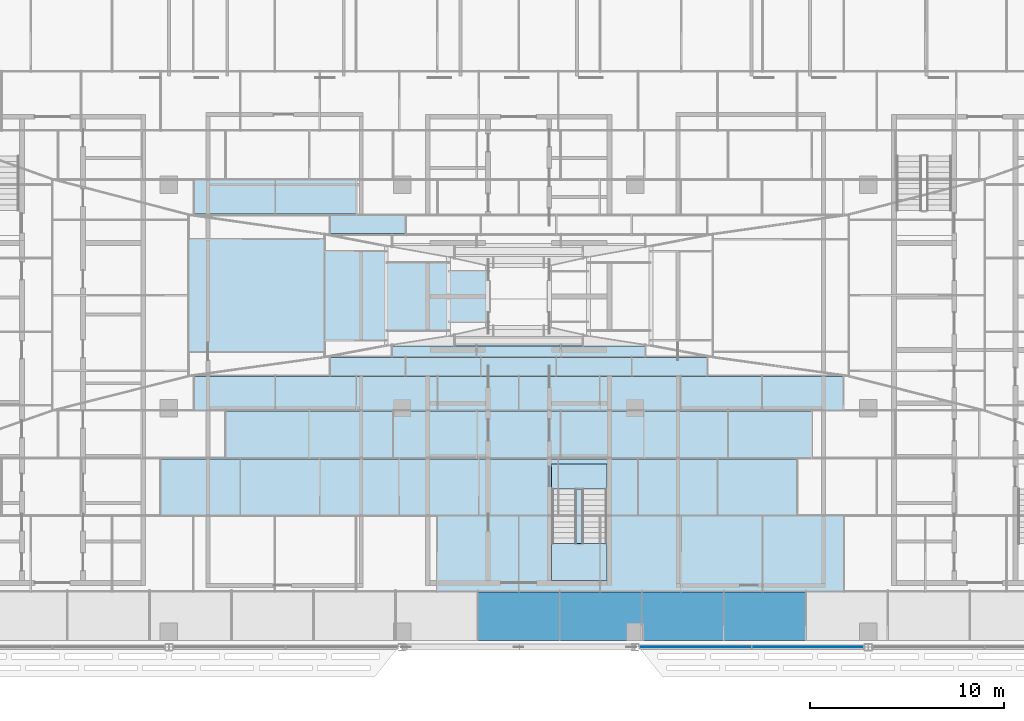
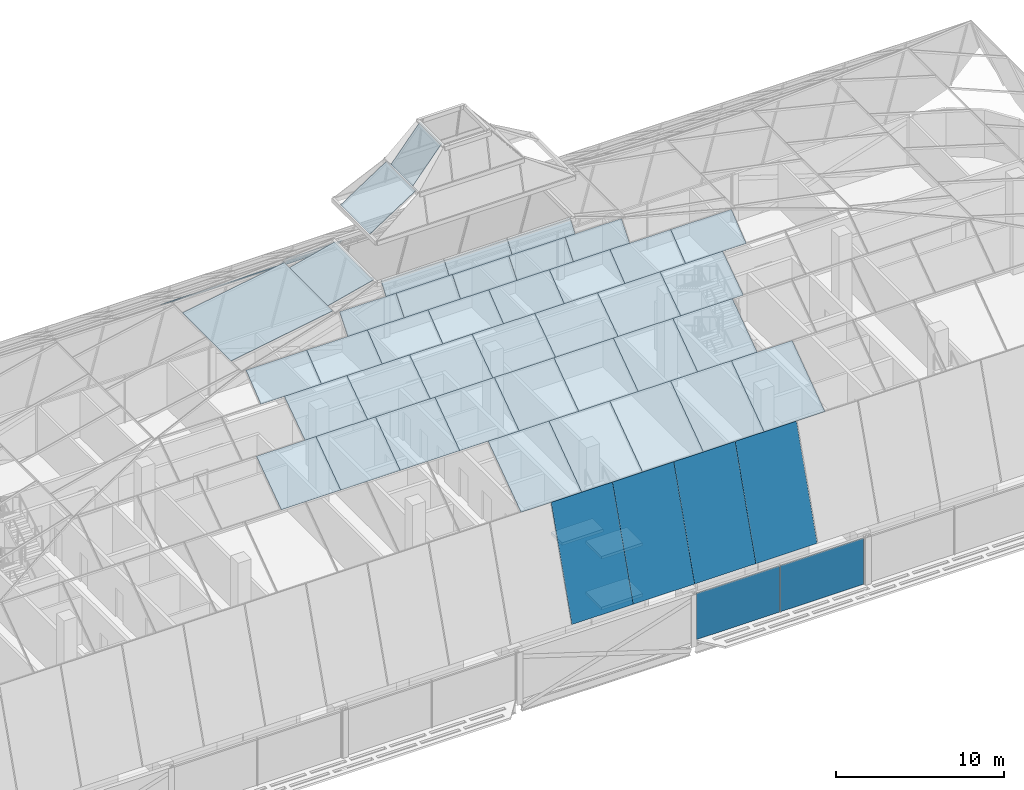
# One storey, part 20 of 39: 49 plates, 3 slabs, 15 elements without a shape of their own.
"""IFC4 building model written with IfcOpenShell, lengths in metres."""

from ifc_helpers import new_model, si_unit, direction, frame, origin, origin_2d, place, context, subcontext, project, spatial, polyline, rectangle, outline, extrude, material, layer, layer_set, type_object, element, aggregate, save


model = new_model("IFC4")

# Units and contexts
model_context = context("Model", 3, precision=1e-05, world=origin(), true_north=direction((0.0, 1.0)))
body_context = subcontext(model_context, "Body", "Model", "MODEL_VIEW")
ifc_project = project(units=[si_unit("LENGTHUNIT", "METRE"), si_unit("AREAUNIT", "SQUARE_METRE"), si_unit("VOLUMEUNIT", "CUBIC_METRE"), si_unit("PLANEANGLEUNIT", "RADIAN"), si_unit("MASSUNIT", "GRAM", prefix="KILO")], contexts=[model_context])

# Site, building, storey
site_placement = place(None, origin())
site = spatial("IfcSite", under=ifc_project, at=site_placement, CompositionType="ELEMENT")
building_placement = place(site_placement, origin())
building = spatial("IfcBuilding", under=site, at=building_placement, Name="Mahtab Terrace Research Tower", CompositionType="ELEMENT")
storey_placement = place(building_placement, frame((0.0, 0.0, 282.300048828125)))
storey = spatial("IfcBuildingStorey", under=building, at=storey_placement, Name="L69", CompositionType="ELEMENT", Elevation=282.300048828125)

# Curtain wall, plates
ifc_material_1 = material(Name="Crown faceted glass roof")
curtain_wall_type_1 = type_object("IfcCurtainWallType", Name="Crown faceted glass roof", PredefinedType="NOTDEFINED", material=ifc_material_1)
curtain_wall_1_placement = place(storey_placement, origin())
curtain_wall_1 = element("IfcCurtainWall", 1, at=curtain_wall_1_placement, inside=storey, type_object=curtain_wall_type_1, Name="CROWN.S0", PredefinedType="NOTDEFINED")
ifc_material_2 = material(Name="Dark glazing", Category="glass")
ifc_layer_1 = layer(ifc_material_2, 0.030029296875)
ifc_layer_set_1 = layer_set([ifc_layer_1], Name="Crown faceted glass roof glazing panel")
plate_type_1 = type_object("IfcPlateType", Name="Crown faceted glass roof glazing panel", PredefinedType="CURTAIN_PANEL", material=ifc_layer_set_1)
plate_1_placement = place(storey_placement, frame((2.11181640625, -11.95703125, 3.800048828125), z_axis=(0.0, -0.948206714392, 0.317653941865), x_axis=(0.0, 0.317653941865, 0.948206714392)))
plate_1 = element("IfcPlate", 2, at=plate_1_placement, type_object=plate_type_1, Name="CWC-S1 panel 12", PredefinedType="CURTAIN_PANEL", context=body_context, shape_type="SweptSolid", body=[
    extrude(outline(polyline([(0.0, 0.0), (7.804102450906159, 0.0), (7.804102450906159, 4.2236328125), (0.0, 4.2236328125), (0.0, 0.0)])), origin(), (0.0, 0.0, -1.0), 0.030029296875),
])
plate_2_placement = place(storey_placement, frame((6.33544921875, -11.95703125, 3.800048828125), z_axis=(0.0, -0.948206714392, 0.317653941865), x_axis=(0.0, 0.317653941865, 0.948206714392)))
plate_2 = element("IfcPlate", 3, at=plate_2_placement, type_object=plate_type_1, Name="CWC-S1 panel 13", PredefinedType="CURTAIN_PANEL", context=body_context, shape_type="SweptSolid", body=[
    extrude(outline(polyline([(0.0, 0.0), (7.804102450906159, 0.0), (7.804102450906159, 4.2236328125), (0.0, 4.2236328125), (0.0, 0.0)])), origin(), (0.0, 0.0, -1.0), 0.030029296875),
])
plate_3_placement = place(storey_placement, frame((10.55908203125, -11.95703125, 3.800048828125), z_axis=(0.0, -0.948206714392, 0.317653941865), x_axis=(0.0, 0.317653941865, 0.948206714392)))
plate_3 = element("IfcPlate", 4, at=plate_3_placement, type_object=plate_type_1, Name="CWC-S1 panel 14", PredefinedType="CURTAIN_PANEL", context=body_context, shape_type="SweptSolid", body=[
    extrude(outline(polyline([(0.0, 0.0), (7.804102450906159, 0.0), (7.804102450906159, 4.2236328125), (0.0, 4.2236328125), (0.0, 0.0)])), origin(), (0.0, 0.0, -1.0), 0.030029296875),
])
plate_4_placement = place(storey_placement, frame((14.78271484375, -11.95703125, 3.800048828125), z_axis=(0.0, -0.948206714392, 0.317653941865), x_axis=(0.0, 0.317653941865, 0.948206714392)))
plate_4 = element("IfcPlate", 5, at=plate_4_placement, type_object=plate_type_1, Name="CWC-S1 panel 15", PredefinedType="CURTAIN_PANEL", context=body_context, shape_type="SweptSolid", body=[
    extrude(outline(polyline([(0.0, 0.0), (7.804102450906159, 0.0), (7.804102450906159, 4.2236328125), (0.0, 4.2236328125), (0.0, 0.0)])), origin(), (0.0, 0.0, -1.0), 0.030029296875),
])
aggregate(curtain_wall_1, [plate_1, plate_2, plate_3, plate_4])

curtain_wall_2_placement = place(storey_placement, origin())
curtain_wall_2 = element("IfcCurtainWall", 6, at=curtain_wall_2_placement, inside=storey, type_object=curtain_wall_type_1, Name="CROWN.S1", PredefinedType="NOTDEFINED")
plate_5_placement = place(storey_placement, frame((0.0, -9.47802734375, 11.199951171875), z_axis=(0.0, -0.581900322077, 0.813260115318), x_axis=(0.0, 0.813260115318, 0.581900322077)))
plate_5 = element("IfcPlate", 7, at=plate_5_placement, type_object=plate_type_1, Name="CWC-S2 panel 10", PredefinedType="CURTAIN_PANEL", context=body_context, shape_type="SweptSolid", body=[
    extrude(outline(polyline([(0.0, 0.0), (4.811904585529726, 0.0), (4.811904585529726, 4.186279296875), (0.0, 4.186279296875), (0.0, 0.0)])), origin(), (0.0, 0.0, -1.0), 0.030029296875),
])
plate_6_placement = place(storey_placement, frame((4.186279296875, -9.47802734375, 11.199951171875), z_axis=(0.0, -0.581900322077, 0.813260115318), x_axis=(0.0, 0.813260115318, 0.581900322077)))
plate_6 = element("IfcPlate", 8, at=plate_6_placement, type_object=plate_type_1, Name="CWC-S2 panel 11", PredefinedType="CURTAIN_PANEL", context=body_context, shape_type="SweptSolid", body=[
    extrude(outline(polyline([(0.0, 0.0), (4.811904585529726, 0.0), (4.811904585529726, 4.186279296875), (0.0, 4.186279296875), (0.0, 0.0)])), origin(), (0.0, 0.0, -1.0), 0.030029296875),
])
plate_7_placement = place(storey_placement, frame((8.372802734375, -9.47802734375, 11.199951171875), z_axis=(0.0, -0.581900322077, 0.813260115318), x_axis=(0.0, 0.813260115318, 0.581900322077)))
plate_7 = element("IfcPlate", 9, at=plate_7_placement, type_object=plate_type_1, Name="CWC-S2 panel 12", PredefinedType="CURTAIN_PANEL", context=body_context, shape_type="SweptSolid", body=[
    extrude(outline(polyline([(0.0, 0.0), (4.811904585529726, 0.0), (4.811904585529726, 4.1865234375), (0.0, 4.1865234375), (0.0, 0.0)])), origin(), (0.0, 0.0, -1.0), 0.030029296875),
])
plate_8_placement = place(storey_placement, frame((12.55908203125, -9.47802734375, 11.199951171875), z_axis=(0.0, -0.581900322077, 0.813260115318), x_axis=(0.0, 0.813260115318, 0.581900322077)))
plate_8 = element("IfcPlate", 10, at=plate_8_placement, type_object=plate_type_1, Name="CWC-S2 panel 13", PredefinedType="CURTAIN_PANEL", context=body_context, shape_type="SweptSolid", body=[
    extrude(outline(polyline([(0.0, 0.0), (4.811904585529726, 0.0), (4.811904585529726, 4.186279296875), (0.0, 4.186279296875), (0.0, 0.0)])), origin(), (0.0, 0.0, -1.0), 0.030029296875),
])
plate_9_placement = place(storey_placement, frame((16.745361328125, -9.47802734375, 11.199951171875), z_axis=(0.0, -0.581900322077, 0.813260115318), x_axis=(0.0, 0.813260115318, 0.581900322077)))
plate_9 = element("IfcPlate", 11, at=plate_9_placement, type_object=plate_type_1, Name="CWC-S2 panel 14", PredefinedType="CURTAIN_PANEL", context=body_context, shape_type="SweptSolid", body=[
    extrude(outline(polyline([(0.0, 0.0), (4.811904585529726, 0.0), (4.811904585529726, 4.186279296875), (0.0, 4.186279296875), (0.0, 0.0)])), origin(), (0.0, 0.0, -1.0), 0.030029296875),
])
aggregate(curtain_wall_2, [plate_5, plate_6, plate_7, plate_8, plate_9])

curtain_wall_3_placement = place(storey_placement, origin())
curtain_wall_3 = element("IfcCurtainWall", 12, at=curtain_wall_3_placement, inside=storey, type_object=curtain_wall_type_1, Name="CROWN.S2", PredefinedType="NOTDEFINED")
plate_10_placement = place(storey_placement, frame((-14.336181640625, -5.564697265625, 14.0), z_axis=(0.0, -0.578988154945, 0.81533595311), x_axis=(0.0, 0.81533595311, 0.578988154945)))
plate_10 = element("IfcPlate", 13, at=plate_10_placement, type_object=plate_type_1, Name="CWC-S3 panel 5", PredefinedType="CURTAIN_PANEL", context=body_context, shape_type="SweptSolid", body=[
    extrude(outline(polyline([(0.0, 0.0), (3.626764205260556, 0.0), (3.626764205260556, 4.095947265625), (0.0, 4.095947265625), (0.0, 0.0)])), origin(), (0.0, 0.0, -1.0), 0.030029296875),
])
plate_11_placement = place(storey_placement, frame((-10.239990234375, -5.564697265625, 14.0), z_axis=(0.0, -0.578988154945, 0.81533595311), x_axis=(0.0, 0.81533595311, 0.578988154945)))
plate_11 = element("IfcPlate", 14, at=plate_11_placement, type_object=plate_type_1, Name="CWC-S3 panel 6", PredefinedType="CURTAIN_PANEL", context=body_context, shape_type="SweptSolid", body=[
    extrude(outline(polyline([(0.0, 0.0), (3.6267642052605558, 0.0), (3.6267642052605558, 4.09619140625), (0.0, 4.09619140625), (0.0, 0.0)])), origin(), (0.0, 0.0, -1.0), 0.030029296875),
])
plate_12_placement = place(storey_placement, frame((-6.14404296875, -5.564697265625, 14.0), z_axis=(0.0, -0.578988154945, 0.81533595311), x_axis=(0.0, 0.81533595311, 0.578988154945)))
plate_12 = element("IfcPlate", 15, at=plate_12_placement, type_object=plate_type_1, Name="CWC-S3 panel 7", PredefinedType="CURTAIN_PANEL", context=body_context, shape_type="SweptSolid", body=[
    extrude(outline(polyline([(0.0, 0.0), (3.626764205260556, 0.0), (3.626764205260556, 4.095947265625), (0.0, 4.095947265625), (0.0, 0.0)])), origin(), (0.0, 0.0, -1.0), 0.030029296875),
])
plate_13_placement = place(storey_placement, frame((-2.048095703125, -5.564697265625, 14.0), z_axis=(0.0, -0.578988154945, 0.81533595311), x_axis=(0.0, 0.81533595311, 0.578988154945)))
plate_13 = element("IfcPlate", 16, at=plate_13_placement, type_object=plate_type_1, Name="CWC-S3 panel 8", PredefinedType="CURTAIN_PANEL", context=body_context, shape_type="SweptSolid", body=[
    extrude(outline(polyline([(0.0, 0.0), (3.626764205260556, 0.0), (3.626764205260556, 4.095947265625), (0.0, 4.095947265625), (0.0, 0.0)])), origin(), (0.0, 0.0, -1.0), 0.030029296875),
])
plate_14_placement = place(storey_placement, frame((2.048095703125, -5.564697265625, 14.0), z_axis=(0.0, -0.578988154945, 0.81533595311), x_axis=(0.0, 0.81533595311, 0.578988154945)))
plate_14 = element("IfcPlate", 17, at=plate_14_placement, type_object=plate_type_1, Name="CWC-S3 panel 9", PredefinedType="CURTAIN_PANEL", context=body_context, shape_type="SweptSolid", body=[
    extrude(outline(polyline([(0.0, 0.0), (3.6267642052605558, 0.0), (3.6267642052605558, 4.09619140625), (0.0, 4.09619140625), (0.0, 0.0)])), origin(), (0.0, 0.0, -1.0), 0.030029296875),
])
plate_15_placement = place(storey_placement, frame((6.14404296875, -5.564697265625, 14.0), z_axis=(0.0, -0.578988154945, 0.81533595311), x_axis=(0.0, 0.81533595311, 0.578988154945)))
plate_15 = element("IfcPlate", 18, at=plate_15_placement, type_object=plate_type_1, Name="CWC-S3 panel 10", PredefinedType="CURTAIN_PANEL", context=body_context, shape_type="SweptSolid", body=[
    extrude(outline(polyline([(0.0, 0.0), (3.626764205260556, 0.0), (3.626764205260556, 4.095947265625), (0.0, 4.095947265625), (0.0, 0.0)])), origin(), (0.0, 0.0, -1.0), 0.030029296875),
])
plate_16_placement = place(storey_placement, frame((10.239990234375, -5.564697265625, 14.0), z_axis=(0.0, -0.578988154945, 0.81533595311), x_axis=(0.0, 0.81533595311, 0.578988154945)))
plate_16 = element("IfcPlate", 19, at=plate_16_placement, type_object=plate_type_1, Name="CWC-S3 panel 11", PredefinedType="CURTAIN_PANEL", context=body_context, shape_type="SweptSolid", body=[
    extrude(outline(polyline([(0.0, 0.0), (3.626764205260556, 0.0), (3.626764205260556, 4.095947265625), (0.0, 4.095947265625), (0.0, 0.0)])), origin(), (0.0, 0.0, -1.0), 0.030029296875),
])
plate_17_placement = place(storey_placement, frame((14.336181640625, -5.564697265625, 14.0), z_axis=(0.0, -0.578988154945, 0.81533595311), x_axis=(0.0, 0.81533595311, 0.578988154945)))
plate_17 = element("IfcPlate", 20, at=plate_17_placement, type_object=plate_type_1, Name="CWC-S3 panel 12", PredefinedType="CURTAIN_PANEL", context=body_context, shape_type="SweptSolid", body=[
    extrude(outline(polyline([(0.0, 0.0), (3.6267642052605558, 0.0), (3.6267642052605558, 4.09619140625), (0.0, 4.09619140625), (0.0, 0.0)])), origin(), (0.0, 0.0, -1.0), 0.030029296875),
])
aggregate(curtain_wall_3, [plate_10, plate_11, plate_12, plate_13, plate_14, plate_15, plate_16, plate_17])

curtain_wall_4_placement = place(storey_placement, origin())
curtain_wall_4 = element("IfcCurtainWall", 21, at=curtain_wall_4_placement, inside=storey, type_object=curtain_wall_type_1, Name="CROWN.S3", PredefinedType="NOTDEFINED")
plate_18_placement = place(storey_placement, frame((-10.77978515625, -2.607666015625, 16.099853515625), z_axis=(0.0, -0.568373610544, 0.822770587003), x_axis=(0.0, 0.822770587003, 0.568373610544)))
plate_18 = element("IfcPlate", 22, at=plate_18_placement, type_object=plate_type_1, Name="CWC-S4 panel 4", PredefinedType="CURTAIN_PANEL", context=body_context, shape_type="SweptSolid", body=[
    extrude(outline(polyline([(0.0, 0.0), (2.991334011573522, 0.0), (2.991334011573522, 4.312011718750001), (0.0, 4.312011718750001), (0.0, 0.0)])), origin(), (0.0, 0.0, -1.0), 0.030029296875),
])
plate_19_placement = place(storey_placement, frame((-6.468017578125, -2.607666015625, 16.099853515625), z_axis=(0.0, -0.568373610544, 0.822770587003), x_axis=(0.0, 0.822770587003, 0.568373610544)))
plate_19 = element("IfcPlate", 23, at=plate_19_placement, type_object=plate_type_1, Name="CWC-S4 panel 5", PredefinedType="CURTAIN_PANEL", context=body_context, shape_type="SweptSolid", body=[
    extrude(outline(polyline([(0.0, 0.0), (2.991334011573522, 0.0), (2.991334011573522, 4.311767578125), (0.0, 4.311767578125), (0.0, 0.0)])), origin(), (0.0, 0.0, -1.0), 0.030029296875),
])
plate_20_placement = place(storey_placement, frame((-2.156005859375, -2.607666015625, 16.099853515625), z_axis=(0.0, -0.568373610544, 0.822770587003), x_axis=(0.0, 0.822770587003, 0.568373610544)))
plate_20 = element("IfcPlate", 24, at=plate_20_placement, type_object=plate_type_1, Name="CWC-S4 panel 6", PredefinedType="CURTAIN_PANEL", context=body_context, shape_type="SweptSolid", body=[
    extrude(outline(polyline([(0.0, 0.0), (2.991334011573522, 0.0), (2.991334011573522, 4.312011718750001), (0.0, 4.312011718750001), (0.0, 0.0)])), origin(), (0.0, 0.0, -1.0), 0.030029296875),
])
plate_21_placement = place(storey_placement, frame((2.156005859375, -2.607666015625, 16.099853515625), z_axis=(0.0, -0.568373610544, 0.822770587003), x_axis=(0.0, 0.822770587003, 0.568373610544)))
plate_21 = element("IfcPlate", 25, at=plate_21_placement, type_object=plate_type_1, Name="CWC-S4 panel 7", PredefinedType="CURTAIN_PANEL", context=body_context, shape_type="SweptSolid", body=[
    extrude(outline(polyline([(0.0, 0.0), (2.991334011573522, 0.0), (2.991334011573522, 4.312011718750001), (0.0, 4.312011718750001), (0.0, 0.0)])), origin(), (0.0, 0.0, -1.0), 0.030029296875),
])
plate_22_placement = place(storey_placement, frame((6.468017578125, -2.607666015625, 16.099853515625), z_axis=(0.0, -0.568373610544, 0.822770587003), x_axis=(0.0, 0.822770587003, 0.568373610544)))
plate_22 = element("IfcPlate", 26, at=plate_22_placement, type_object=plate_type_1, Name="CWC-S4 panel 8", PredefinedType="CURTAIN_PANEL", context=body_context, shape_type="SweptSolid", body=[
    extrude(outline(polyline([(0.0, 0.0), (2.991334011573522, 0.0), (2.991334011573522, 4.312011718750001), (0.0, 4.312011718750001), (0.0, 0.0)])), origin(), (0.0, 0.0, -1.0), 0.030029296875),
])
plate_23_placement = place(storey_placement, frame((10.77978515625, -2.607666015625, 16.099853515625), z_axis=(0.0, -0.568373610544, 0.822770587003), x_axis=(0.0, 0.822770587003, 0.568373610544)))
plate_23 = element("IfcPlate", 27, at=plate_23_placement, type_object=plate_type_1, Name="CWC-S4 panel 9", PredefinedType="CURTAIN_PANEL", context=body_context, shape_type="SweptSolid", body=[
    extrude(outline(polyline([(0.0, 0.0), (2.991334011573522, 0.0), (2.991334011573522, 4.311767578125), (0.0, 4.311767578125), (0.0, 0.0)])), origin(), (0.0, 0.0, -1.0), 0.030029296875),
])
plate_24_placement = place(storey_placement, frame((15.091796875, -2.607666015625, 16.099853515625), z_axis=(0.0, -0.568373610544, 0.822770587003), x_axis=(0.0, 0.822770587003, 0.568373610544)))
plate_24 = element("IfcPlate", 28, at=plate_24_placement, type_object=plate_type_1, Name="CWC-S4 panel 10", PredefinedType="CURTAIN_PANEL", context=body_context, shape_type="SweptSolid", body=[
    extrude(outline(polyline([(0.0, 0.0), (2.991334011573522, 0.0), (2.991334011573522, 4.312011718750001), (0.0, 4.312011718750001), (0.0, 0.0)])), origin(), (0.0, 0.0, -1.0), 0.030029296875),
])
aggregate(curtain_wall_4, [plate_18, plate_19, plate_20, plate_21, plate_22, plate_23, plate_24])

curtain_wall_5_placement = place(storey_placement, origin())
curtain_wall_5 = element("IfcCurtainWall", 29, at=curtain_wall_5_placement, inside=storey, type_object=curtain_wall_type_1, Name="CROWN.S4", PredefinedType="NOTDEFINED")
plate_25_placement = place(storey_placement, frame((-12.533203125, -0.146484375, 17.800048828125), z_axis=(0.0, -0.620173675122, 0.784464538832), x_axis=(0.0, 0.784464538832, 0.620173675122)))
plate_25 = element("IfcPlate", 30, at=plate_25_placement, type_object=plate_type_1, Name="CWC-S5 panel 2", PredefinedType="CURTAIN_PANEL", context=body_context, shape_type="SweptSolid", body=[
    extrude(outline(polyline([(0.0, 0.0), (2.257274695630274, 0.0), (2.257274695630274, 4.177734375), (0.0, 4.177734375), (0.0, 0.0)])), origin(), (0.0, 0.0, -1.0), 0.030029296875),
])
plate_26_placement = place(storey_placement, frame((-8.35546875, -0.146484375, 17.800048828125), z_axis=(0.0, -0.620173675122, 0.784464538832), x_axis=(0.0, 0.784464538832, 0.620173675122)))
plate_26 = element("IfcPlate", 31, at=plate_26_placement, type_object=plate_type_1, Name="CWC-S5 panel 3", PredefinedType="CURTAIN_PANEL", context=body_context, shape_type="SweptSolid", body=[
    extrude(outline(polyline([(0.0, 0.0), (2.257274695630274, 0.0), (2.257274695630274, 4.177734375), (0.0, 4.177734375), (0.0, 0.0)])), origin(), (0.0, 0.0, -1.0), 0.030029296875),
])
plate_27_placement = place(storey_placement, frame((-4.177734375, -0.146484375, 17.800048828125), z_axis=(0.0, -0.620173675122, 0.784464538832), x_axis=(0.0, 0.784464538832, 0.620173675122)))
plate_27 = element("IfcPlate", 32, at=plate_27_placement, type_object=plate_type_1, Name="CWC-S5 panel 4", PredefinedType="CURTAIN_PANEL", context=body_context, shape_type="SweptSolid", body=[
    extrude(outline(polyline([(0.0, 0.0), (2.257274695630274, 0.0), (2.257274695630274, 4.177734375), (0.0, 4.177734375), (0.0, 0.0)])), origin(), (0.0, 0.0, -1.0), 0.030029296875),
])
plate_28_placement = place(storey_placement, frame((0.0, -0.146484375, 17.800048828125), z_axis=(0.0, -0.620173675122, 0.784464538832), x_axis=(0.0, 0.784464538832, 0.620173675122)))
plate_28 = element("IfcPlate", 33, at=plate_28_placement, type_object=plate_type_1, Name="CWC-S5 panel 5", PredefinedType="CURTAIN_PANEL", context=body_context, shape_type="SweptSolid", body=[
    extrude(outline(polyline([(0.0, 0.0), (2.257274695630274, 0.0), (2.257274695630274, 4.177734375), (0.0, 4.177734375), (0.0, 0.0)])), origin(), (0.0, 0.0, -1.0), 0.030029296875),
])
plate_29_placement = place(storey_placement, frame((4.177734375, -0.146484375, 17.800048828125), z_axis=(0.0, -0.620173675122, 0.784464538832), x_axis=(0.0, 0.784464538832, 0.620173675122)))
plate_29 = element("IfcPlate", 34, at=plate_29_placement, type_object=plate_type_1, Name="CWC-S5 panel 6", PredefinedType="CURTAIN_PANEL", context=body_context, shape_type="SweptSolid", body=[
    extrude(outline(polyline([(0.0, 0.0), (2.257274695630274, 0.0), (2.257274695630274, 4.177734375), (0.0, 4.177734375), (0.0, 0.0)])), origin(), (0.0, 0.0, -1.0), 0.030029296875),
])
plate_30_placement = place(storey_placement, frame((8.35546875, -0.146484375, 17.800048828125), z_axis=(0.0, -0.620173675122, 0.784464538832), x_axis=(0.0, 0.784464538832, 0.620173675122)))
plate_30 = element("IfcPlate", 35, at=plate_30_placement, type_object=plate_type_1, Name="CWC-S5 panel 7", PredefinedType="CURTAIN_PANEL", context=body_context, shape_type="SweptSolid", body=[
    extrude(outline(polyline([(0.0, 0.0), (2.257274695630274, 0.0), (2.257274695630274, 4.177734375), (0.0, 4.177734375), (0.0, 0.0)])), origin(), (0.0, 0.0, -1.0), 0.030029296875),
])
plate_31_placement = place(storey_placement, frame((12.533203125, -0.146484375, 17.800048828125), z_axis=(0.0, -0.620173675122, 0.784464538832), x_axis=(0.0, 0.784464538832, 0.620173675122)))
plate_31 = element("IfcPlate", 36, at=plate_31_placement, type_object=plate_type_1, Name="CWC-S5 panel 8", PredefinedType="CURTAIN_PANEL", context=body_context, shape_type="SweptSolid", body=[
    extrude(outline(polyline([(0.0, 0.0), (2.257274695630274, 0.0), (2.257274695630274, 4.177734375), (0.0, 4.177734375), (0.0, 0.0)])), origin(), (0.0, 0.0, -1.0), 0.030029296875),
])
plate_32_placement = place(storey_placement, frame((16.7109375, -0.146484375, 17.800048828125), z_axis=(0.0, -0.620173675122, 0.784464538832), x_axis=(0.0, 0.784464538832, 0.620173675122)))
plate_32 = element("IfcPlate", 37, at=plate_32_placement, type_object=plate_type_1, Name="CWC-S5 panel 9", PredefinedType="CURTAIN_PANEL", context=body_context, shape_type="SweptSolid", body=[
    extrude(outline(polyline([(0.0, 0.0), (2.257274695630274, 0.0), (2.257274695630274, 4.177734375), (0.0, 4.177734375), (0.0, 0.0)])), origin(), (0.0, 0.0, -1.0), 0.030029296875),
])
aggregate(curtain_wall_5, [plate_25, plate_26, plate_27, plate_28, plate_29, plate_30, plate_31, plate_32])

curtain_wall_6_placement = place(storey_placement, origin())
curtain_wall_6 = element("IfcCurtainWall", 38, at=curtain_wall_6_placement, inside=storey, type_object=curtain_wall_type_1, Name="CROWN.N4", PredefinedType="NOTDEFINED")
plate_33_placement = place(storey_placement, frame((-12.533203125, 9.9921875, 19.199951171875), z_axis=(0.0, 0.609515532495, 0.7927741265), x_axis=(0.0, 0.7927741265, -0.609515532495)))
plate_33 = element("IfcPlate", 39, at=plate_33_placement, type_object=plate_type_1, Name="CWC-N5 panel 2", PredefinedType="CURTAIN_PANEL", context=body_context, shape_type="SweptSolid", body=[
    extrude(outline(polyline([(0.0, 0.0), (2.2967459713771903, 0.0), (2.2967459713771903, 4.177734375), (0.0, 4.177734375), (0.0, 0.0)])), origin(), (0.0, 0.0, -1.0), 0.030029296875),
])
plate_34_placement = place(storey_placement, frame((-8.35546875, 9.9921875, 19.199951171875), z_axis=(0.0, 0.609515532495, 0.7927741265), x_axis=(0.0, 0.7927741265, -0.609515532495)))
plate_34 = element("IfcPlate", 40, at=plate_34_placement, type_object=plate_type_1, Name="CWC-N5 panel 3", PredefinedType="CURTAIN_PANEL", context=body_context, shape_type="SweptSolid", body=[
    extrude(outline(polyline([(0.0, 0.0), (2.2967459713771903, 0.0), (2.2967459713771903, 4.177734375), (0.0, 4.177734375), (0.0, 0.0)])), origin(), (0.0, 0.0, -1.0), 0.030029296875),
])
aggregate(curtain_wall_6, [plate_33, plate_34])

curtain_wall_7_placement = place(storey_placement, origin())
curtain_wall_7 = element("IfcCurtainWall", 41, at=curtain_wall_7_placement, inside=storey, type_object=curtain_wall_type_1, Name="CROWN.S5", PredefinedType="NOTDEFINED")
ifc_material_3 = material(Name="Turquoise ceramic tile cladding", Category="ceramic")
ifc_layer_2 = layer(ifc_material_3, 0.0400390625)
ifc_layer_set_2 = layer_set([ifc_layer_2], Name="Crown tip cladding panel")
plate_type_2 = type_object("IfcPlateType", Name="Crown tip cladding panel", PredefinedType="CURTAIN_PANEL", material=ifc_layer_set_2)
plate_35_placement = place(storey_placement, frame((-5.823974609375, 1.624267578125, 19.199951171875), z_axis=(0.0, -0.776456974126, 0.630170268523), x_axis=(0.0, 0.630170268523, 0.776456974126)))
plate_35 = element("IfcPlate", 42, at=plate_35_placement, type_object=plate_type_2, Name="CWC-S6 panel 2", PredefinedType="CURTAIN_PANEL", context=body_context, shape_type="SweptSolid", body=[
    extrude(outline(polyline([(0.0, 0.0), (1.5454187570727291, 0.0), (1.5454187570727291, 3.882568359375), (0.0, 3.882568359375), (0.0, 0.0)])), origin(), (0.0, 0.0, -1.0), 0.030029296875),
])
plate_36_placement = place(storey_placement, frame((-1.94140625, 1.624267578125, 19.199951171875), z_axis=(0.0, -0.776456974126, 0.630170268523), x_axis=(0.0, 0.630170268523, 0.776456974126)))
plate_36 = element("IfcPlate", 43, at=plate_36_placement, type_object=plate_type_2, Name="CWC-S6 panel 3", PredefinedType="CURTAIN_PANEL", context=body_context, shape_type="SweptSolid", body=[
    extrude(outline(polyline([(0.0, 0.0), (1.5454187570727291, 0.0), (1.5454187570727291, 3.882568359375), (0.0, 3.882568359375), (0.0, 0.0)])), origin(), (0.0, 0.0, -1.0), 0.030029296875),
])
plate_37_placement = place(storey_placement, frame((1.94140625, 1.624267578125, 19.199951171875), z_axis=(0.0, -0.776456974126, 0.630170268523), x_axis=(0.0, 0.630170268523, 0.776456974126)))
plate_37 = element("IfcPlate", 44, at=plate_37_placement, type_object=plate_type_2, Name="CWC-S6 panel 4", PredefinedType="CURTAIN_PANEL", context=body_context, shape_type="SweptSolid", body=[
    extrude(outline(polyline([(0.0, 0.0), (1.5454187570727291, 0.0), (1.5454187570727291, 3.8828125), (0.0, 3.8828125), (0.0, 0.0)])), origin(), (0.0, 0.0, -1.0), 0.030029296875),
])
plate_38_placement = place(storey_placement, frame((5.823974609375, 1.624267578125, 19.199951171875), z_axis=(0.0, -0.776456974126, 0.630170268523), x_axis=(0.0, 0.630170268523, 0.776456974126)))
plate_38 = element("IfcPlate", 45, at=plate_38_placement, type_object=plate_type_2, Name="CWC-S6 panel 5", PredefinedType="CURTAIN_PANEL", context=body_context, shape_type="SweptSolid", body=[
    extrude(outline(polyline([(0.0, 0.0), (1.5454187570727291, 0.0), (1.5454187570727291, 3.882568359375), (0.0, 3.882568359375), (0.0, 0.0)])), origin(), (0.0, 0.0, -1.0), 0.030029296875),
])
plate_39_placement = place(storey_placement, frame((9.70654296875, 1.624267578125, 19.199951171875), z_axis=(0.0, -0.776456974126, 0.630170268523), x_axis=(0.0, 0.630170268523, 0.776456974126)))
plate_39 = element("IfcPlate", 46, at=plate_39_placement, type_object=plate_type_2, Name="CWC-S6 panel 6", PredefinedType="CURTAIN_PANEL", context=body_context, shape_type="SweptSolid", body=[
    extrude(outline(polyline([(0.0, 0.0), (1.5454187570727291, 0.0), (1.5454187570727291, 3.882568359375), (0.0, 3.882568359375), (0.0, 0.0)])), origin(), (0.0, 0.0, -1.0), 0.030029296875),
])
aggregate(curtain_wall_7, [plate_35, plate_36, plate_37, plate_38, plate_39])

curtain_wall_8_placement = place(storey_placement, origin())
curtain_wall_8 = element("IfcCurtainWall", 47, at=curtain_wall_8_placement, inside=storey, type_object=curtain_wall_type_1, Name="CROWN.S6", PredefinedType="NOTDEFINED")
plate_40_placement = place(storey_placement, frame((-2.17138671875, 2.59814453125, 20.39990234375), z_axis=(0.0, -0.8024322757, 0.59674319679), x_axis=(0.0, 0.59674319679, 0.8024322757)))
plate_40 = element("IfcPlate", 48, at=plate_40_placement, type_object=plate_type_2, Name="CWC-S7 panel 2", PredefinedType="CURTAIN_PANEL", context=body_context, shape_type="SweptSolid", body=[
    extrude(outline(polyline([(0.0, 0.0), (0.9970297212025541, 0.0), (0.9970297212025541, 4.342529296875), (0.0, 4.342529296875), (0.0, 0.0)])), origin(), (0.0, 0.0, -1.0), 0.030029296875),
])
plate_41_placement = place(storey_placement, frame((2.17138671875, 2.59814453125, 20.39990234375), z_axis=(0.0, -0.8024322757, 0.59674319679), x_axis=(0.0, 0.59674319679, 0.8024322757)))
plate_41 = element("IfcPlate", 49, at=plate_41_placement, type_object=plate_type_2, Name="CWC-S7 panel 3", PredefinedType="CURTAIN_PANEL", context=body_context, shape_type="SweptSolid", body=[
    extrude(outline(polyline([(0.0, 0.0), (0.9970297212025541, 0.0), (0.9970297212025541, 4.342773437499999), (0.0, 4.342773437499999), (0.0, 0.0)])), origin(), (0.0, 0.0, -1.0), 0.030029296875),
])
plate_42_placement = place(storey_placement, frame((6.513916015625, 2.59814453125, 20.39990234375), z_axis=(0.0, -0.8024322757, 0.59674319679), x_axis=(0.0, 0.59674319679, 0.8024322757)))
plate_42 = element("IfcPlate", 50, at=plate_42_placement, type_object=plate_type_2, Name="CWC-S7 panel 4", PredefinedType="CURTAIN_PANEL", context=body_context, shape_type="SweptSolid", body=[
    extrude(outline(polyline([(0.0, 0.0), (0.9970297212025541, 0.0), (0.9970297212025541, 4.342529296875), (0.0, 4.342529296875), (0.0, 0.0)])), origin(), (0.0, 0.0, -1.0), 0.030029296875),
])
aggregate(curtain_wall_8, [plate_40, plate_41, plate_42])

# Curtain wall, plate
curtain_wall_9_placement = place(storey_placement, origin())
curtain_wall_9 = element("IfcCurtainWall", 51, at=curtain_wall_9_placement, inside=storey, type_object=curtain_wall_type_1, Name="CROWN.N5", PredefinedType="NOTDEFINED")
plate_43_placement = place(storey_placement, frame((-5.823974609375, 8.99072265625, 20.39990234375), z_axis=(0.0, 0.767747332932, 0.640752707973), x_axis=(0.0, 0.640752707973, -0.767747332932)))
plate_43 = element("IfcPlate", 52, at=plate_43_placement, type_object=plate_type_2, Name="CWC-N6 panel 2", PredefinedType="CURTAIN_PANEL", context=body_context, shape_type="SweptSolid", body=[
    extrude(outline(polyline([(0.0, 0.0), (1.5629506224290637, 0.0), (1.5629506224290637, 3.882568359375), (0.0, 3.882568359375), (0.0, 0.0)])), origin(), (0.0, 0.0, -1.0), 0.030029296875),
])
aggregate(curtain_wall_9, [plate_43])

curtain_wall_10_placement = place(storey_placement, origin())
curtain_wall_10 = element("IfcCurtainWall", 53, at=curtain_wall_10_placement, inside=storey, type_object=curtain_wall_type_1, Name="CROWN.W5", PredefinedType="NOTDEFINED")
plate_44_placement = place(storey_placement, frame((-10.006591796875, 2.898193359375, 20.39990234375), z_axis=(-0.168854156391, 0.0, 0.985641047172), x_axis=(0.0, 1.0, 0.0)))
plate_44 = element("IfcPlate", 54, at=plate_44_placement, type_object=plate_type_2, Name="CWC-W6 panel 2", PredefinedType="CURTAIN_PANEL", context=body_context, shape_type="SweptSolid", body=[
    extrude(outline(polyline([(0.0, 0.0), (5.792724609375, 0.0), (5.792724609375, 7.106435503421467), (0.0, 7.106435503421467), (0.0, 0.0)])), origin(), (0.0, 0.0, -1.0), 0.030029296875),
])
aggregate(curtain_wall_10, [plate_44])

curtain_wall_11_placement = place(storey_placement, origin())
curtain_wall_11 = element("IfcCurtainWall", 55, at=curtain_wall_11_placement, inside=storey, type_object=curtain_wall_type_1, Name="CROWN.W6", PredefinedType="NOTDEFINED")
plate_45_placement = place(storey_placement, frame((-6.81396484375, 3.4931640625, 21.199951171875), z_axis=(-0.243076639991, 0.0, 0.970007086103), x_axis=(0.0, 1.0, 0.0)))
plate_45 = element("IfcPlate", 56, at=plate_45_placement, type_object=plate_type_2, Name="CWC-W7 panel 2", PredefinedType="CURTAIN_PANEL", context=body_context, shape_type="SweptSolid", body=[
    extrude(outline(polyline([(0.0, 0.0), (4.5859375, 0.0), (4.5859375, 3.291343948785117), (0.0, 3.291343948785117), (0.0, 0.0)])), origin(), (0.0, 0.0, -1.0), 0.030029296875),
])
aggregate(curtain_wall_11, [plate_45])

curtain_wall_12_placement = place(storey_placement, origin())
curtain_wall_12 = element("IfcCurtainWall", 57, at=curtain_wall_12_placement, inside=storey, type_object=curtain_wall_type_1, Name="CROWN.W7", PredefinedType="NOTDEFINED")
plate_46_placement = place(storey_placement, frame((-3.60009765625, 4.0, 26.300048828125), z_axis=(-0.547016325747, 0.0, 0.83712193817), x_axis=(0.0, 1.0, 0.0)))
plate_46 = element("IfcPlate", 58, at=plate_46_placement, type_object=plate_type_2, Name="CWC-W8 panel 2", PredefinedType="CURTAIN_PANEL", context=body_context, shape_type="SweptSolid", body=[
    extrude(outline(polyline([(0.0, 0.0), (3.5, 0.0), (3.5, 3.839186432654177), (0.0, 3.839186432654177), (0.0, 0.0)])), origin(), (0.0, 0.0, -1.0), 0.030029296875),
])
aggregate(curtain_wall_12, [plate_46])

curtain_wall_13_placement = place(storey_placement, origin())
curtain_wall_13 = element("IfcCurtainWall", 59, at=curtain_wall_13_placement, inside=storey, type_object=curtain_wall_type_1, Name="CROWN.W8", PredefinedType="NOTDEFINED")
plate_47_placement = place(storey_placement, frame((-1.60009765625, 4.449951171875, 28.699951171875), z_axis=(-0.768208468069, 0.0, 0.640199773186), x_axis=(0.0, 1.0, 0.0)))
plate_47 = element("IfcPlate", 60, at=plate_47_placement, type_object=plate_type_2, Name="CWC-W9 panel 2", PredefinedType="CURTAIN_PANEL", context=body_context, shape_type="SweptSolid", body=[
    extrude(outline(polyline([(0.0, 0.0), (2.60009765625, 0.0), (2.60009765625, 3.1240248493788814), (0.0, 3.1240248493788814), (0.0, 0.0)])), origin(), (0.0, 0.0, -1.0), 0.030029296875),
])
aggregate(curtain_wall_13, [plate_47])

# Stair, slabs
ifc_material_4 = material(Name="Exit stair half-turn")
stair_type = type_object("IfcStairType", Name="Exit stair half-turn", PredefinedType="HALF_TURN_STAIR", material=ifc_material_4)
stair_placement = place(storey_placement, origin())
stair = element("IfcStair", 61, at=stair_placement, inside=storey, type_object=stair_type, Name="L69 Protected exit stair ST2", PredefinedType="HALF_TURN_STAIR")
ifc_material_5 = material(Name="Concrete C40/50", Category="concrete")
ifc_layer_3 = layer(ifc_material_5, 0.199951171875)
ifc_layer_set_3 = layer_set([ifc_layer_3], Name="Exit stair landing 200")
slab_type = type_object("IfcSlabType", Name="Exit stair landing 200", PredefinedType="LANDING", material=ifc_layer_set_3)
slab_1_placement = place(storey_placement, frame((0.0, 0.0, 1.64990234375)))
slab_1 = element("IfcSlab", 62, at=slab_1_placement, type_object=slab_type, Name="ST2 landing 1", PredefinedType="LANDING", context=body_context, shape_type="SweptSolid", body=[
    extrude(outline(polyline([(1.699951171875, -6.97509765625), (1.699951171875, -8.875), (4.550048828125, -8.875), (4.550048828125, -6.97509765625), (1.699951171875, -6.97509765625)])), origin(), (0.0, 0.0, 1.0), 0.199951171875),
])
slab_2_placement = place(storey_placement, frame((0.0, 0.0, 3.5)))
slab_2 = element("IfcSlab", 63, at=slab_2_placement, type_object=slab_type, Name="ST2 landing 2", PredefinedType="LANDING", context=body_context, shape_type="SweptSolid", body=[
    extrude(outline(polyline([(1.699951171875, -2.875), (1.699951171875, -4.175048828125), (4.550048828125, -4.175048828125), (4.550048828125, -2.875), (1.699951171875, -2.875)])), origin(), (0.0, 0.0, 1.0), 0.199951171875),
])
slab_3_placement = place(storey_placement, frame((0.0, 0.0, 5.349853515625)))
slab_3 = element("IfcSlab", 64, at=slab_3_placement, type_object=slab_type, Name="ST2 landing 3", PredefinedType="LANDING", context=body_context, shape_type="SweptSolid", body=[
    extrude(outline(polyline([(1.699951171875, -6.97509765625), (1.699951171875, -8.875), (4.550048828125, -8.875), (4.550048828125, -6.97509765625), (1.699951171875, -6.97509765625)])), origin(), (0.0, 0.0, 1.0), 0.2001953125),
])
aggregate(stair, [slab_1, slab_2, slab_3])

# Curtain wall, plates
ifc_material_6 = material(Name="Office ribbon curtain wall")
curtain_wall_type_2 = type_object("IfcCurtainWallType", Name="Office ribbon curtain wall", PredefinedType="NOTDEFINED", material=ifc_material_6)
curtain_wall_14_placement = place(storey_placement, origin())
curtain_wall_14 = element("IfcCurtainWall", 65, at=curtain_wall_14_placement, inside=storey, type_object=curtain_wall_type_2, Name="EN.L69.13.27", PredefinedType="NOTDEFINED")
ifc_layer_4 = layer(ifc_material_2, 0.030029296875)
ifc_layer_set_4 = layer_set([ifc_layer_4], Name="Office ribbon curtain wall glazing panel")
plate_type_3 = type_object("IfcPlateType", Name="Office ribbon curtain wall glazing panel", PredefinedType="CURTAIN_PANEL", material=ifc_layer_set_4)
plate_48_placement = place(storey_placement, frame((9.10888671875, -12.306884765625, 0.0), z_axis=(0.0, 0.0, 1.0), x_axis=(1.0, 0.0, 0.0)))
plate_48 = element("IfcPlate", 66, at=plate_48_placement, type_object=plate_type_3, Name="CWO-8 panel 1", PredefinedType="CURTAIN_PANEL", context=body_context, shape_type="SweptSolid", body=[
    extrude(rectangle(XDim=5.721923828125, YDim=0.030029296875, at=origin_2d()), origin(), (0.0, 0.0, 1.0), 3.360107421875),
])
plate_49_placement = place(storey_placement, frame((14.89111328125, -12.306884765625, 0.0), z_axis=(0.0, 0.0, 1.0), x_axis=(1.0, 0.0, 0.0)))
plate_49 = element("IfcPlate", 67, at=plate_49_placement, type_object=plate_type_3, Name="CWO-8 panel 2", PredefinedType="CURTAIN_PANEL", context=body_context, shape_type="SweptSolid", body=[
    extrude(rectangle(XDim=5.721923828125, YDim=0.030029296875, at=origin_2d()), origin(), (0.0, 0.0, 1.0), 3.360107421875),
])
aggregate(curtain_wall_14, [plate_48, plate_49])

save(model, "model.ifc")
